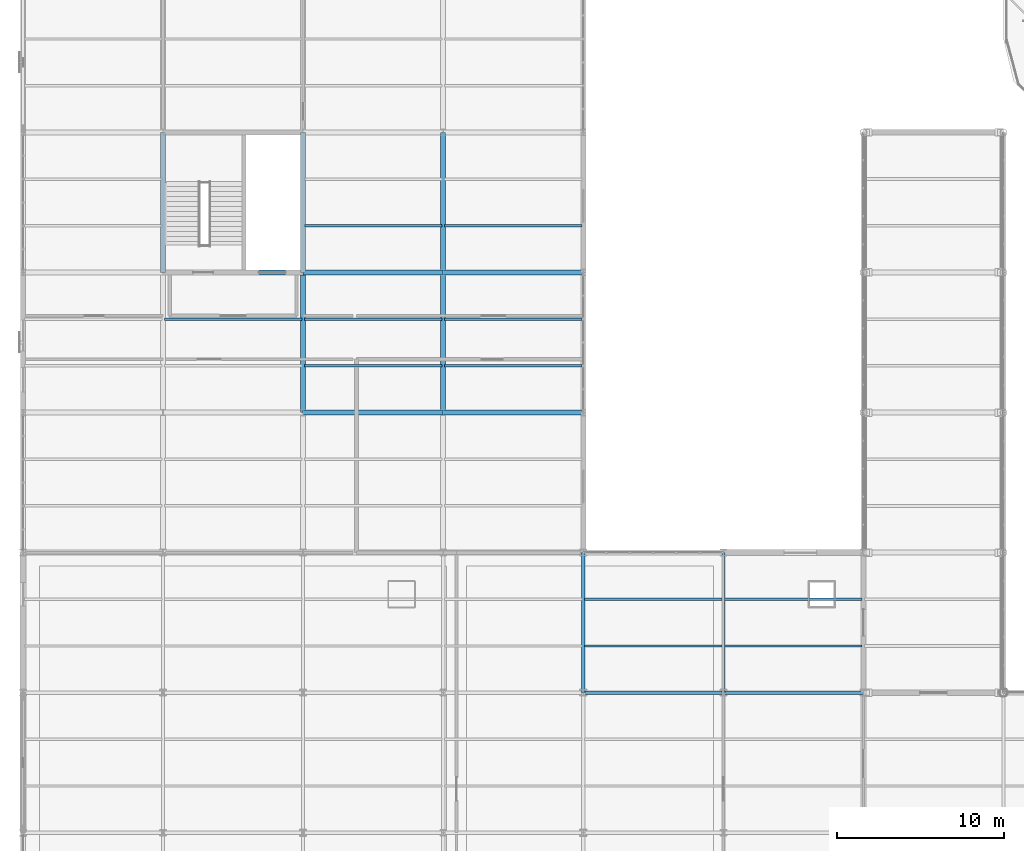
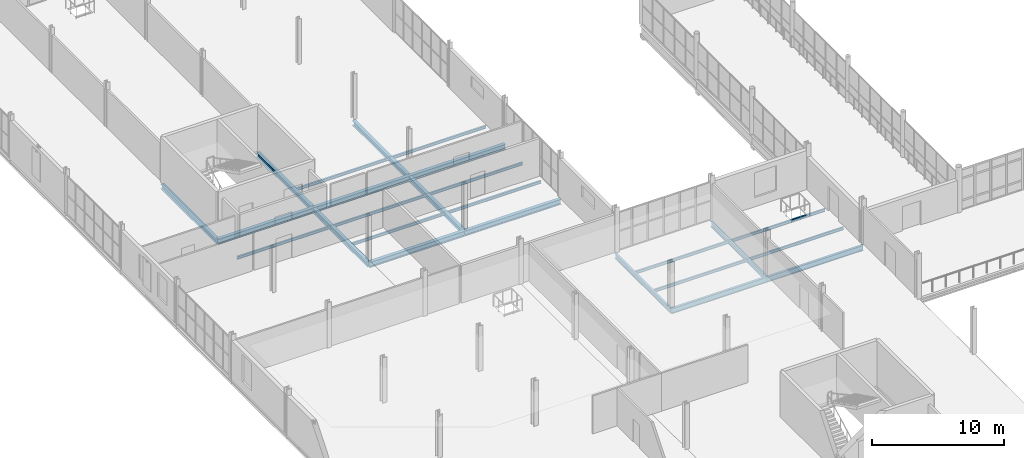
# One storey, part 43 of 163: 25 beams.
"""IFC4 building model written with IfcOpenShell, lengths in metres."""

from ifc_helpers import new_model, si_unit, direction, frame, origin, origin_2d, place, context, subcontext, project, spatial, i_section, extrude, material, material_profile, profile_set, type_object, element, save


model = new_model("IFC4")

# Units and contexts
model_context = context("Model", 3, precision=1e-05, world=origin(), true_north=direction((0.0, 1.0)))
body_context = subcontext(model_context, "Body", "Model", "MODEL_VIEW")
ifc_project = project(units=[si_unit("LENGTHUNIT", "METRE"), si_unit("AREAUNIT", "SQUARE_METRE"), si_unit("VOLUMEUNIT", "CUBIC_METRE"), si_unit("PLANEANGLEUNIT", "RADIAN"), si_unit("MASSUNIT", "GRAM", prefix="KILO")], contexts=[model_context])

# Site, building, storey
site_placement = place(None, origin())
site = spatial("IfcSite", under=ifc_project, at=site_placement, CompositionType="ELEMENT")
building_placement = place(site_placement, origin())
building = spatial("IfcBuilding", under=site, at=building_placement, Name="Qalvenar Corner Mobility Hub", CompositionType="ELEMENT")
storey_placement = place(building_placement, frame((0.0, 0.0, 4.800048828125)))
storey = spatial("IfcBuildingStorey", under=building, at=storey_placement, Name="L01", CompositionType="ELEMENT", Elevation=4.800048828125)

# Beams
ifc_material = material(Name="Steel S355", Category="steel")
ifc_material_profile_1 = material_profile(ifc_material, i_section(OverallWidth=0.300048828125, OverallDepth=0.43994140625, WebThickness=0.011474609375, FlangeThickness=0.02099609375, FilletRadius=0.027099609375, at=origin_2d()), Name="HEA450")
ifc_profile_set_1 = profile_set([ifc_material_profile_1], Name="Steel S355")
beam_type_1 = type_object("IfcBeamType", Name="BM-HEA450", PredefinedType="BEAM", material=ifc_profile_set_1)
beam_1_placement = place(storey_placement, frame((8.39990234375, 58.800048828125, -0.400146484375), z_axis=(0.0, 1.0, 0.0), x_axis=(-1.0, 0.0, 0.0)))
element("IfcBeam", 1, at=beam_1_placement, inside=storey, type_object=beam_type_1, Name="Primary Steel Girder GY-1188", PredefinedType="BEAM", context=body_context, shape_type="SweptSolid", body=[
    extrude(i_section(OverallWidth=0.300048828125, OverallDepth=0.43994140625, WebThickness=0.011474609375, FlangeThickness=0.02099609375, FilletRadius=0.027099609375, at=origin_2d()), origin(), (0.0, 0.0, 1.0), 8.39990234375),
])
beam_2_placement = place(storey_placement, frame((16.800048828125, 50.39990234375, -0.400146484375), z_axis=(0.0, 1.0, 0.0), x_axis=(-1.0, 0.0, 0.0)))
element("IfcBeam", 2, at=beam_2_placement, inside=storey, type_object=beam_type_1, Name="Primary Steel Girder GY-1193", PredefinedType="BEAM", context=body_context, shape_type="SweptSolid", body=[
    extrude(i_section(OverallWidth=0.300048828125, OverallDepth=0.43994140625, WebThickness=0.011474609375, FlangeThickness=0.02099609375, FilletRadius=0.027099609375, at=origin_2d()), origin(), (0.0, 0.0, 1.0), 8.400146484375),
])
beam_3_placement = place(storey_placement, frame((16.800048828125, 58.800048828125, -0.400146484375), z_axis=(0.0, 1.0, 0.0), x_axis=(-1.0, 0.0, 0.0)))
element("IfcBeam", 3, at=beam_3_placement, inside=storey, type_object=beam_type_1, Name="Primary Steel Girder GY-1194", PredefinedType="BEAM", context=body_context, shape_type="SweptSolid", body=[
    extrude(i_section(OverallWidth=0.300048828125, OverallDepth=0.43994140625, WebThickness=0.011474609375, FlangeThickness=0.02099609375, FilletRadius=0.027099609375, at=origin_2d()), origin(), (0.0, 0.0, 1.0), 8.39990234375),
])
beam_4_placement = place(storey_placement, frame((25.199951171875, 50.39990234375, -0.400146484375), z_axis=(0.0, 1.0, 0.0), x_axis=(-1.0, 0.0, 0.0)))
element("IfcBeam", 4, at=beam_4_placement, inside=storey, type_object=beam_type_1, Name="Primary Steel Girder GY-1199", PredefinedType="BEAM", context=body_context, shape_type="SweptSolid", body=[
    extrude(i_section(OverallWidth=0.300048828125, OverallDepth=0.43994140625, WebThickness=0.011474609375, FlangeThickness=0.02099609375, FilletRadius=0.027099609375, at=origin_2d()), origin(), (0.0, 0.0, 1.0), 8.400146484375),
])
beam_5_placement = place(storey_placement, frame((25.199951171875, 58.800048828125, -0.400146484375), z_axis=(0.0, 1.0, 0.0), x_axis=(-1.0, 0.0, 0.0)))
element("IfcBeam", 5, at=beam_5_placement, inside=storey, type_object=beam_type_1, Name="Primary Steel Girder GY-1200", PredefinedType="BEAM", context=body_context, shape_type="SweptSolid", body=[
    extrude(i_section(OverallWidth=0.300048828125, OverallDepth=0.43994140625, WebThickness=0.011474609375, FlangeThickness=0.02099609375, FilletRadius=0.027099609375, at=origin_2d()), origin(), (0.0, 0.0, 1.0), 8.39990234375),
])
ifc_material_profile_2 = material_profile(ifc_material, i_section(OverallWidth=0.300048828125, OverallDepth=0.489990234375, WebThickness=0.011962890625, FlangeThickness=0.02294921875, FilletRadius=0.027099609375, at=origin_2d()), Name="HEA500")
ifc_profile_set_2 = profile_set([ifc_material_profile_2], Name="Steel S355")
beam_type_2 = type_object("IfcBeamType", Name="BM-HEA500", PredefinedType="BEAM", material=ifc_profile_set_2)
beam_6_placement = place(storey_placement, frame((16.800048828125, 50.39990234375, -0.425048828125), z_axis=(1.0, 0.0, 0.0), x_axis=(0.0, 1.0, 0.0)))
element("IfcBeam", 6, at=beam_6_placement, inside=storey, type_object=beam_type_2, Name="Primary Steel Girder GX-1158", PredefinedType="BEAM", context=body_context, shape_type="SweptSolid", body=[
    extrude(i_section(OverallWidth=0.300048828125, OverallDepth=0.489990234375, WebThickness=0.011962890625, FlangeThickness=0.02294921875, FilletRadius=0.027099609375, at=origin_2d()), origin(), (0.0, 0.0, 1.0), 8.39990234375),
])
for number, where, z_axis, x_axis, name in (
    (7, (25.199951171875, 50.39990234375, -0.425048828125), (1.0, 0.0, 0.0), (0.0, 1.0, 0.0), "Primary Steel Girder GX-1159"),
    (8, (8.39990234375, 58.800048828125, -0.425048828125), (1.0, 0.0, 0.0), (0.0, 1.0, 0.0), "Primary Steel Girder GX-1161"),
):
    element("IfcBeam", number, at=place(storey_placement, frame(where, z_axis=z_axis, x_axis=x_axis)), inside=storey, type_object=beam_type_2, Name=name, PredefinedType="BEAM", context=body_context, shape_type="SweptSolid", body=[
        extrude(i_section(OverallWidth=0.300048828125, OverallDepth=0.489990234375, WebThickness=0.011962890625, FlangeThickness=0.02294921875, FilletRadius=0.027099609375, at=origin_2d()), origin(), (0.0, 0.0, 1.0), 8.400146484375),
    ])
beam_7_placement = place(storey_placement, frame((16.800048828125, 58.800048828125, -0.425048828125), z_axis=(1.0, 0.0, 0.0), x_axis=(0.0, 1.0, 0.0)))
element("IfcBeam", 9, at=beam_7_placement, inside=storey, type_object=beam_type_2, Name="Primary Steel Girder GX-1162", PredefinedType="BEAM", context=body_context, shape_type="SweptSolid", body=[
    extrude(i_section(OverallWidth=0.300048828125, OverallDepth=0.489990234375, WebThickness=0.011962890625, FlangeThickness=0.02294921875, FilletRadius=0.027099609375, at=origin_2d()), origin(), (0.0, 0.0, 1.0), 8.39990234375),
])
beam_8_placement = place(storey_placement, frame((25.199951171875, 58.800048828125, -0.425048828125), z_axis=(1.0, 0.0, 0.0), x_axis=(0.0, 1.0, 0.0)))
element("IfcBeam", 10, at=beam_8_placement, inside=storey, type_object=beam_type_2, Name="Primary Steel Girder GX-1163", PredefinedType="BEAM", context=body_context, shape_type="SweptSolid", body=[
    extrude(i_section(OverallWidth=0.300048828125, OverallDepth=0.489990234375, WebThickness=0.011962890625, FlangeThickness=0.02294921875, FilletRadius=0.027099609375, at=origin_2d()), origin(), (0.0, 0.0, 1.0), 8.400146484375),
])
ifc_material_profile_3 = material_profile(ifc_material, i_section(OverallWidth=0.18994140625, OverallDepth=0.449951171875, WebThickness=0.009521484375, FlangeThickness=0.0146484375, FilletRadius=0.02099609375, at=origin_2d()), Name="IPE450")
ifc_profile_set_3 = profile_set([ifc_material_profile_3], Name="Steel S355")
beam_type_3 = type_object("IfcBeamType", Name="BM-IPE450", PredefinedType="BEAM", material=ifc_profile_set_3)
for number, where, z_axis, x_axis, name in (
    (11, (33.60009765625, 33.60009765625, -0.405029296875), (0.0, 1.0, 0.0), (-1.0, 0.0, 0.0), "Primary Steel Girder GY-0875"),
    (12, (42.0, 33.60009765625, -0.405029296875), (0.0, 1.0, 0.0), (-1.0, 0.0, 0.0), "Primary Steel Girder GY-0880"),
):
    element("IfcBeam", number, at=place(storey_placement, frame(where, z_axis=z_axis, x_axis=x_axis)), inside=storey, type_object=beam_type_3, Name=name, PredefinedType="BEAM", context=body_context, shape_type="SweptSolid", body=[
        extrude(i_section(OverallWidth=0.18994140625, OverallDepth=0.449951171875, WebThickness=0.009521484375, FlangeThickness=0.0146484375, FilletRadius=0.02099609375, at=origin_2d()), origin(), (0.0, 0.0, 1.0), 8.39990234375),
    ])
ifc_material_profile_4 = material_profile(ifc_material, i_section(OverallWidth=0.199951171875, OverallDepth=0.5, WebThickness=0.01025390625, FlangeThickness=0.01611328125, FilletRadius=0.02099609375, at=origin_2d()), Name="IPE500")
ifc_profile_set_4 = profile_set([ifc_material_profile_4], Name="Steel S355")
beam_type_4 = type_object("IfcBeamType", Name="BM-IPE500", PredefinedType="BEAM", material=ifc_profile_set_4)
for number, where, z_axis, x_axis, name in (
    (13, (33.60009765625, 33.60009765625, -0.429931640625), (1.0, 0.0, 0.0), (0.0, 1.0, 0.0), "Primary Steel Girder GX-0843"),
    (14, (42.0, 33.60009765625, -0.429931640625), (1.0, 0.0, 0.0), (0.0, 1.0, 0.0), "Primary Steel Girder GX-0844"),
):
    element("IfcBeam", number, at=place(storey_placement, frame(where, z_axis=z_axis, x_axis=x_axis)), inside=storey, type_object=beam_type_4, Name=name, PredefinedType="BEAM", context=body_context, shape_type="SweptSolid", body=[
        extrude(i_section(OverallWidth=0.199951171875, OverallDepth=0.5, WebThickness=0.01025390625, FlangeThickness=0.01611328125, FilletRadius=0.02099609375, at=origin_2d()), origin(), (0.0, 0.0, 1.0), 8.39990234375),
    ])
ifc_material_profile_5 = material_profile(ifc_material, i_section(OverallWidth=0.14599609375, OverallDepth=0.258056640625, WebThickness=0.006103515625, FlangeThickness=0.009033203125, FilletRadius=0.011962890625, at=origin_2d()), Name="W250x32.7")
ifc_profile_set_5 = profile_set([ifc_material_profile_5], Name="Steel S355")
beam_type_5 = type_object("IfcBeamType", Name="BM-JST250", PredefinedType="JOIST", material=ifc_profile_set_5)
beam_9_placement = place(storey_placement, frame((8.47802734375, 56.0, -0.30908203125), z_axis=(1.0, 0.0, 0.0), x_axis=(0.0, 1.0, 0.0)))
element("IfcBeam", 15, at=beam_9_placement, inside=storey, type_object=beam_type_5, Name="Composite Floor Joist J-1225", PredefinedType="JOIST", context=body_context, shape_type="SweptSolid", body=[
    extrude(i_section(OverallWidth=0.14599609375, OverallDepth=0.258056640625, WebThickness=0.006103515625, FlangeThickness=0.009033203125, FilletRadius=0.011962890625, at=origin_2d()), origin(), (0.0, 0.0, 1.0), 8.243896484375),
])
for number, where, z_axis, x_axis, name in (
    (16, (16.8779296875, 53.199951171875, -0.30908203125), (1.0, 0.0, 0.0), (0.0, 1.0, 0.0), "Composite Floor Joist J-1234"),
    (17, (16.8779296875, 56.0, -0.30908203125), (1.0, 0.0, 0.0), (0.0, 1.0, 0.0), "Composite Floor Joist J-1235"),
    (18, (16.8779296875, 61.60009765625, -0.30908203125), (1.0, 0.0, 0.0), (0.0, 1.0, 0.0), "Composite Floor Joist J-1236"),
):
    element("IfcBeam", number, at=place(storey_placement, frame(where, z_axis=z_axis, x_axis=x_axis)), inside=storey, type_object=beam_type_5, Name=name, PredefinedType="JOIST", context=body_context, shape_type="SweptSolid", body=[
        extrude(i_section(OverallWidth=0.14599609375, OverallDepth=0.258056640625, WebThickness=0.006103515625, FlangeThickness=0.009033203125, FilletRadius=0.011962890625, at=origin_2d()), origin(), (0.0, 0.0, 1.0), 8.244140625),
    ])
for number, where, z_axis, x_axis, name in (
    (19, (25.278076171875, 53.199951171875, -0.30908203125), (1.0, 0.0, 0.0), (0.0, 1.0, 0.0), "Composite Floor Joist J-1246"),
    (20, (25.278076171875, 56.0, -0.30908203125), (1.0, 0.0, 0.0), (0.0, 1.0, 0.0), "Composite Floor Joist J-1247"),
    (21, (25.278076171875, 61.60009765625, -0.30908203125), (1.0, 0.0, 0.0), (0.0, 1.0, 0.0), "Composite Floor Joist J-1248"),
):
    element("IfcBeam", number, at=place(storey_placement, frame(where, z_axis=z_axis, x_axis=x_axis)), inside=storey, type_object=beam_type_5, Name=name, PredefinedType="JOIST", context=body_context, shape_type="SweptSolid", body=[
        extrude(i_section(OverallWidth=0.14599609375, OverallDepth=0.258056640625, WebThickness=0.006103515625, FlangeThickness=0.009033203125, FilletRadius=0.011962890625, at=origin_2d()), origin(), (0.0, 0.0, 1.0), 8.243896484375),
    ])
ifc_material_profile_6 = material_profile(ifc_material, i_section(OverallWidth=0.135009765625, OverallDepth=0.27001953125, WebThickness=0.006591796875, FlangeThickness=0.01025390625, FilletRadius=0.014892578125, at=origin_2d()), Name="IPE270")
ifc_profile_set_6 = profile_set([ifc_material_profile_6], Name="Steel S355")
beam_type_6 = type_object("IfcBeamType", Name="BM-JST270", PredefinedType="JOIST", material=ifc_profile_set_6)
for number, where, z_axis, x_axis, name in (
    (22, (33.677978515625, 36.39990234375, -0.31494140625), (1.0, 0.0, 0.0), (0.0, 1.0, 0.0), "Composite Floor Joist J-0931"),
    (23, (33.677978515625, 39.199951171875, -0.31494140625), (1.0, 0.0, 0.0), (0.0, 1.0, 0.0), "Composite Floor Joist J-0932"),
    (24, (42.077880859375, 36.39990234375, -0.31494140625), (1.0, 0.0, 0.0), (0.0, 1.0, 0.0), "Composite Floor Joist J-0941"),
    (25, (42.077880859375, 39.199951171875, -0.31494140625), (1.0, 0.0, 0.0), (0.0, 1.0, 0.0), "Composite Floor Joist J-0942"),
):
    element("IfcBeam", number, at=place(storey_placement, frame(where, z_axis=z_axis, x_axis=x_axis)), inside=storey, type_object=beam_type_6, Name=name, PredefinedType="JOIST", context=body_context, shape_type="SweptSolid", body=[
        extrude(i_section(OverallWidth=0.135009765625, OverallDepth=0.27001953125, WebThickness=0.006591796875, FlangeThickness=0.01025390625, FilletRadius=0.014892578125, at=origin_2d()), origin(), (0.0, 0.0, 1.0), 8.244140625),
    ])

save(model, "model.ifc")
